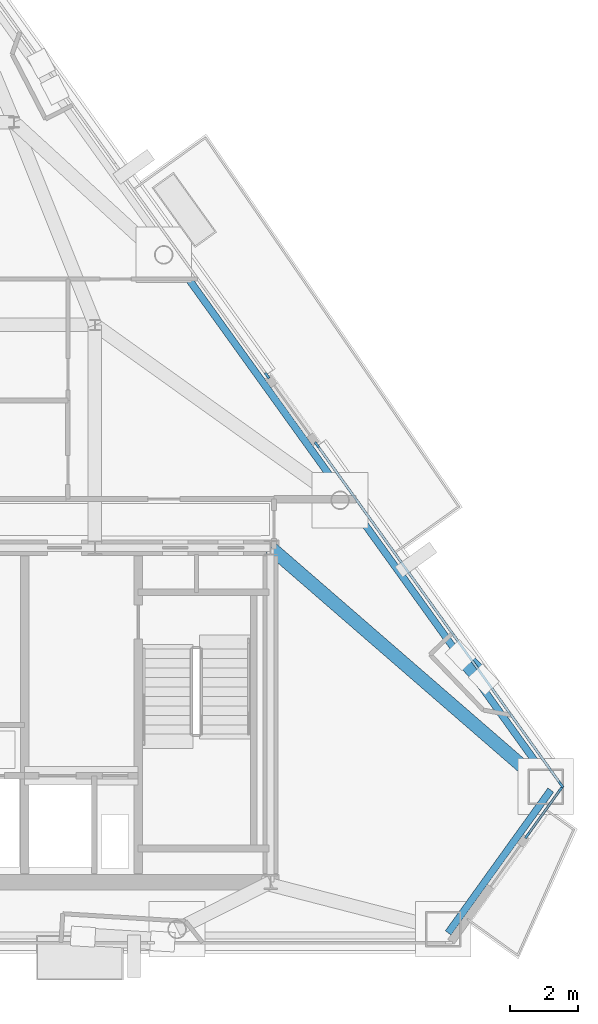
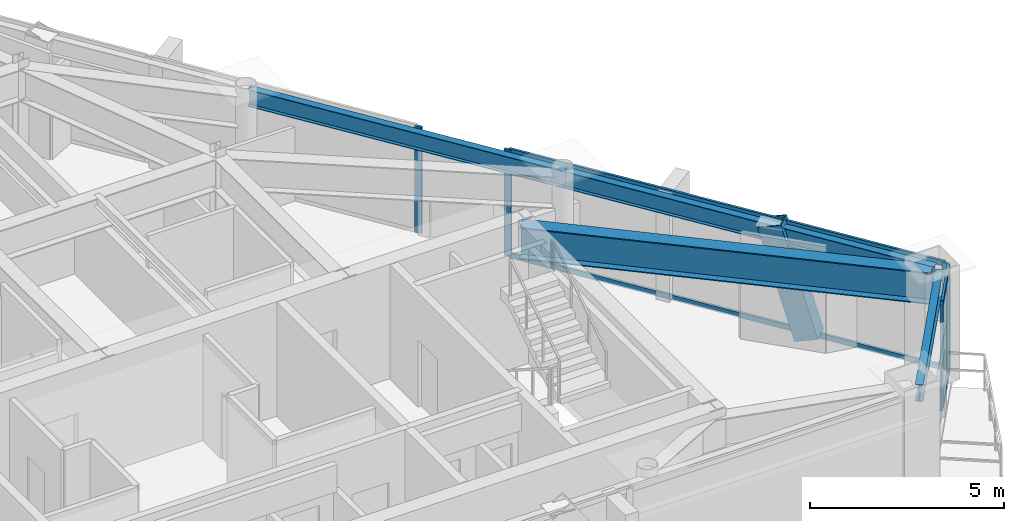
# One storey, part 5 of 11: 10 members, 4 beams, 3 elements without a shape of their own.
"""IFC4 building model written with IfcOpenShell, lengths in metres."""

from ifc_helpers import new_model, si_unit, direction, frame, origin, origin_2d, place, context, subcontext, project, spatial, rectangle, hollow_rectangle, i_section, extrude, material, layer, layer_set, material_profile, profile_set, type_object, element, aggregate, save


model = new_model("IFC4")

# Units and contexts
model_context = context("Model", 3, precision=1e-05, world=origin(), true_north=direction((0.0, 1.0)))
body_context = subcontext(model_context, "Body", "Model", "MODEL_VIEW")
ifc_project = project(units=[si_unit("LENGTHUNIT", "METRE"), si_unit("AREAUNIT", "SQUARE_METRE"), si_unit("VOLUMEUNIT", "CUBIC_METRE"), si_unit("PLANEANGLEUNIT", "RADIAN"), si_unit("MASSUNIT", "GRAM", prefix="KILO")], contexts=[model_context])

# Site, building, storey
site_placement = place(None, origin())
site = spatial("IfcSite", under=ifc_project, at=site_placement, CompositionType="ELEMENT")
building_placement = place(site_placement, origin())
building = spatial("IfcBuilding", under=site, at=building_placement, Name="Talgorran Terracotta Tower", CompositionType="ELEMENT")
storey_placement = place(building_placement, frame((0.0, 0.0, 214.5)))
storey = spatial("IfcBuildingStorey", under=building, at=storey_placement, Name="L56", CompositionType="ELEMENT", Elevation=214.5)

# Beams
ifc_material_1 = material(Name="Steel Grade 350 (350L0)", Category="steel")
ifc_material_profile_1 = material_profile(ifc_material_1, i_section(OverallWidth=0.39990234375, OverallDepth=1.0, WebThickness=0.01611328125, FlangeThickness=0.031005859375, at=origin_2d()), Name="1000WB296")
ifc_profile_set_1 = profile_set([ifc_material_profile_1], Name="Steel Grade 350 (350L0)")
beam_type_1 = type_object("IfcBeamType", Name="BM_1000WB296", PredefinedType="BEAM", material=ifc_profile_set_1)
beam_1_placement = place(storey_placement, frame((12.39990234375, -4.199951171875, 2.844970703125), z_axis=(0.755340259283, -0.655332810644, 0.0), x_axis=(0.655332810644, 0.755340259283, 0.0)))
element("IfcBeam", 1, at=beam_1_placement, inside=storey, type_object=beam_type_1, Name="L56 Floor Girder G18", PredefinedType="BEAM", context=body_context, shape_type="SweptSolid", body=[
    extrude(i_section(OverallWidth=0.39990234375, OverallDepth=1.0, WebThickness=0.01611328125, FlangeThickness=0.031005859375, at=origin_2d()), origin(), (0.0, 0.0, 1.0), 10.787841796875),
])
ifc_material_2 = material(Name="Steel S355 (300PLUS)", Category="steel")
ifc_material_profile_2 = material_profile(ifc_material_2, i_section(OverallWidth=0.209228515625, OverallDepth=0.532958984375, WebThickness=0.01025390625, FlangeThickness=0.015625, at=origin_2d()), Name="530UB92.4")
ifc_profile_set_2 = profile_set([ifc_material_profile_2], Name="Steel S355 (300PLUS)")
beam_type_2 = type_object("IfcBeamType", Name="BM_SP_530UB92", PredefinedType="SPANDREL", material=ifc_profile_set_2)
beam_2_placement = place(storey_placement, frame((17.656982421875, -15.601806640625, 3.07861328125), z_axis=(0.58353843734, 0.812085520217, 0.0), x_axis=(-0.812085520217, 0.58353843734, 0.0)))
element("IfcBeam", 2, at=beam_2_placement, inside=storey, type_object=beam_type_2, Name="L56 Perimeter Spandrel Beam MC3-MC4", PredefinedType="SPANDREL", context=body_context, shape_type="SweptSolid", body=[
    extrude(i_section(OverallWidth=0.209228515625, OverallDepth=0.532958984375, WebThickness=0.01025390625, FlangeThickness=0.015625, at=origin_2d()), origin(), (0.0, 0.0, 1.0), 5.20556640625),
])
beam_3_placement = place(storey_placement, frame((20.694580078125, -11.16455078125, 3.07861328125), z_axis=(-0.58355893517, 0.812070790746, 0.0), x_axis=(-0.812070790746, -0.58355893517, 0.0)))
element("IfcBeam", 3, at=beam_3_placement, inside=storey, type_object=beam_type_2, Name="L56 Perimeter Spandrel Beam MC4-FC3", PredefinedType="SPANDREL", context=body_context, shape_type="SweptSolid", body=[
    extrude(i_section(OverallWidth=0.209228515625, OverallDepth=0.532958984375, WebThickness=0.01025390625, FlangeThickness=0.015625, at=origin_2d()), origin(), (0.0, 0.0, 1.0), 10.438232421875),
])
beam_4_placement = place(storey_placement, frame((14.603271484375, -2.68798828125, 3.07861328125), z_axis=(-0.583551145521, 0.812076388378, 0.0), x_axis=(-0.812076388378, -0.583551145521, 0.0)))
element("IfcBeam", 4, at=beam_4_placement, inside=storey, type_object=beam_type_2, Name="L56 Perimeter Spandrel Beam FC3-FC4", PredefinedType="SPANDREL", context=body_context, shape_type="SweptSolid", body=[
    extrude(i_section(OverallWidth=0.209228515625, OverallDepth=0.532958984375, WebThickness=0.01025390625, FlangeThickness=0.015625, at=origin_2d()), origin(), (0.0, 0.0, 1.0), 8.947265625),
])

# Member
ifc_material_profile_3 = material_profile(ifc_material_1, hollow_rectangle(XDim=0.52001953125, YDim=0.659912109375, WallThickness=0.034912109375, at=origin_2d()), Name="WBOX660X520X35")
ifc_profile_set_3 = profile_set([ifc_material_profile_3], Name="Steel Grade 350 (350L0)")
member_type_1 = type_object("IfcMemberType", Name="MB_MEGA_660", PredefinedType="BRACE", material=ifc_profile_set_3)
member_1_placement = place(storey_placement, frame((18.713134765625, -8.098876953125, -0.02490234375), z_axis=(-0.194541951717, 0.202961291238, 0.959666683428), x_axis=(-0.721921781, -0.691974668697, 0.0)))
element("IfcMember", 5, at=member_1_placement, inside=storey, type_object=member_type_1, Name="L56 Exterior Face Mega-Brace MB-3 (NEL)", PredefinedType="BRACE", context=body_context, shape_type="SweptSolid", body=[
    extrude(hollow_rectangle(XDim=0.52001953125, YDim=0.659912109375, WallThickness=0.034912109375, at=origin_2d()), origin(), (0.0, 0.0, 1.0), 3.53759765625),
])

# Curtain wall, members
ifc_material_3 = material(Name="High-Wind Unitised Glazing", Category="glass")
ifc_layer = layer(ifc_material_3, 0.2099609375, Name="CW_SYS3_RES_HIGH")
ifc_layer_set = layer_set([ifc_layer], Name="High-Wind Unitised Glazing")
curtain_wall_type = type_object("IfcCurtainWallType", Name="CW_SYS3_RES_HIGH", PredefinedType="NOTDEFINED", material=ifc_layer_set)
curtain_wall_1_placement = place(storey_placement, origin())
curtain_wall_1 = element("IfcCurtainWall", 6, at=curtain_wall_1_placement, inside=storey, type_object=curtain_wall_type, Name="CW-L56-F31", PredefinedType="NOTDEFINED")
ifc_material_4 = material(Name="Architectural Aluminium 6063-T6", Category="aluminium")
ifc_material_profile_4 = material_profile(ifc_material_4, rectangle(XDim=0.070068359375, YDim=0.199951171875, at=origin_2d()), Name="CWM70X200")
ifc_profile_set_4 = profile_set([ifc_material_profile_4], Name="Architectural Aluminium 6063-T6")
member_type_2 = type_object("IfcMemberType", Name="MUL_70X200", PredefinedType="MULLION", material=ifc_profile_set_4)
member_2_placement = place(storey_placement, frame((20.00244140625, -12.71484375, 0.0), z_axis=(0.0, 0.0, 1.0), x_axis=(-0.812058762422, 0.583575673219, 0.0)))
member_2 = element("IfcMember", 7, at=member_2_placement, type_object=member_type_2, Name="CW-L56-31 mullion 1", PredefinedType="MULLION", context=body_context, shape_type="SweptSolid", body=[
    extrude(rectangle(XDim=0.070068359375, YDim=0.199951171875, at=origin_2d()), origin(), (0.0, 0.0, 1.0), 3.344970703125),
])
member_3_placement = place(storey_placement, frame((20.9970703125, -11.33056640625, 0.0), z_axis=(0.0, 0.0, 1.0), x_axis=(-0.812058762422, 0.583575673219, 0.0)))
member_3 = element("IfcMember", 8, at=member_3_placement, type_object=member_type_2, Name="CW-L56-31 mullion 2", PredefinedType="MULLION", context=body_context, shape_type="SweptSolid", body=[
    extrude(rectangle(XDim=0.070068359375, YDim=0.199951171875, at=origin_2d()), origin(), (0.0, 0.0, 1.0), 3.344970703125),
])

curtain_wall_2_placement = place(storey_placement, origin())
curtain_wall_2 = element("IfcCurtainWall", 9, at=curtain_wall_2_placement, inside=storey, type_object=curtain_wall_type, Name="CW-L56-F40", PredefinedType="NOTDEFINED")
member_4_placement = place(storey_placement, frame((20.9970703125, -11.208740234375, 0.0), z_axis=(0.0, 0.0, 1.0), x_axis=(-0.812075803568, -0.583551959349, 0.0)))
member_4 = element("IfcMember", 10, at=member_4_placement, type_object=member_type_2, Name="CW-L56-40 mullion 1", PredefinedType="MULLION", context=body_context, shape_type="SweptSolid", body=[
    extrude(rectangle(XDim=0.070068359375, YDim=0.199951171875, at=origin_2d()), origin(), (0.0, 0.0, 1.0), 3.344970703125),
])
member_5_placement = place(storey_placement, frame((13.773681640625, -1.15625, 0.0), z_axis=(0.0, 0.0, 1.0), x_axis=(-0.812075803568, -0.583551959349, 0.0)))
member_5 = element("IfcMember", 11, at=member_5_placement, type_object=member_type_2, Name="CW-L56-40 mullion 2", PredefinedType="MULLION", context=body_context, shape_type="SweptSolid", body=[
    extrude(rectangle(XDim=0.070068359375, YDim=0.199951171875, at=origin_2d()), origin(), (0.0, 0.0, 1.0), 3.344970703125),
])

# Curtain wall, member
curtain_wall_3_placement = place(storey_placement, origin())
curtain_wall_3 = element("IfcCurtainWall", 12, at=curtain_wall_3_placement, inside=storey, type_object=curtain_wall_type, Name="CW-L56-F41", PredefinedType="NOTDEFINED")
member_6_placement = place(storey_placement, frame((12.297119140625, 0.898193359375, 0.0), z_axis=(0.0, 0.0, 1.0), x_axis=(-0.812077108608, -0.583550143239, 0.0)))
member_6 = element("IfcMember", 13, at=member_6_placement, type_object=member_type_2, Name="CW-L56-41 mullion 1", PredefinedType="MULLION", context=body_context, shape_type="SweptSolid", body=[
    extrude(rectangle(XDim=0.070068359375, YDim=0.199951171875, at=origin_2d()), origin(), (0.0, 0.0, 1.0), 3.344970703125),
])
aggregate(curtain_wall_3, [member_6])

# Member
ifc_material_profile_5 = material_profile(ifc_material_4, rectangle(XDim=0.070068359375, YDim=0.159912109375, at=origin_2d()), Name="CWT70X160")
ifc_profile_set_5 = profile_set([ifc_material_profile_5], Name="Architectural Aluminium 6063-T6")
member_type_3 = type_object("IfcMemberType", Name="TRN_70X160", PredefinedType="USERDEFINED", material=ifc_profile_set_5)
member_7_placement = place(storey_placement, frame((20.022705078125, -12.6865234375, 0.034912109375), z_axis=(0.583580661131, 0.8120551779, 0.0), x_axis=(-0.8120551779, 0.583580661131, 0.0)))
member_7 = element("IfcMember", 14, at=member_7_placement, type_object=member_type_3, Name="CW-L56-31 transom 1.1", ObjectType="TRANSOM", PredefinedType="USERDEFINED", context=body_context, shape_type="SweptSolid", body=[
    extrude(rectangle(XDim=0.070068359375, YDim=0.159912109375, at=origin_2d()), origin(), (0.0, 0.0, 1.0), 1.635009765625),
])

member_8_placement = place(storey_placement, frame((20.022705078125, -12.6865234375, 3.31005859375), z_axis=(0.583580661131, 0.8120551779, 0.0), x_axis=(-0.8120551779, 0.583580661131, 0.0)))
member_8 = element("IfcMember", 15, at=member_8_placement, type_object=member_type_3, Name="CW-L56-31 transom 1.2", ObjectType="TRANSOM", PredefinedType="USERDEFINED", context=body_context, shape_type="SweptSolid", body=[
    extrude(rectangle(XDim=0.070068359375, YDim=0.159912109375, at=origin_2d()), origin(), (0.0, 0.0, 1.0), 1.635009765625),
])

aggregate(curtain_wall_1, [member_2, member_3, member_7, member_8])

member_9_placement = place(storey_placement, frame((20.976806640625, -11.18017578125, 0.034912109375), z_axis=(-0.583566157236, 0.812065600877, 0.0), x_axis=(-0.812065600877, -0.583566157236, 0.0)))
member_9 = element("IfcMember", 16, at=member_9_placement, type_object=member_type_3, Name="CW-L56-40 transom 1.1", ObjectType="TRANSOM", PredefinedType="USERDEFINED", context=body_context, shape_type="SweptSolid", body=[
    extrude(rectangle(XDim=0.070068359375, YDim=0.159912109375, at=origin_2d()), origin(), (0.0, 0.0, 1.0), 12.30859375),
])

member_10_placement = place(storey_placement, frame((20.976806640625, -11.18017578125, 3.31005859375), z_axis=(-0.583566157236, 0.812065600877, 0.0), x_axis=(-0.812065600877, -0.583566157236, 0.0)))
member_10 = element("IfcMember", 17, at=member_10_placement, type_object=member_type_3, Name="CW-L56-40 transom 1.2", ObjectType="TRANSOM", PredefinedType="USERDEFINED", context=body_context, shape_type="SweptSolid", body=[
    extrude(rectangle(XDim=0.070068359375, YDim=0.159912109375, at=origin_2d()), origin(), (0.0, 0.0, 1.0), 12.30859375),
])

aggregate(curtain_wall_2, [member_4, member_5, member_9, member_10])

save(model, "model.ifc")
